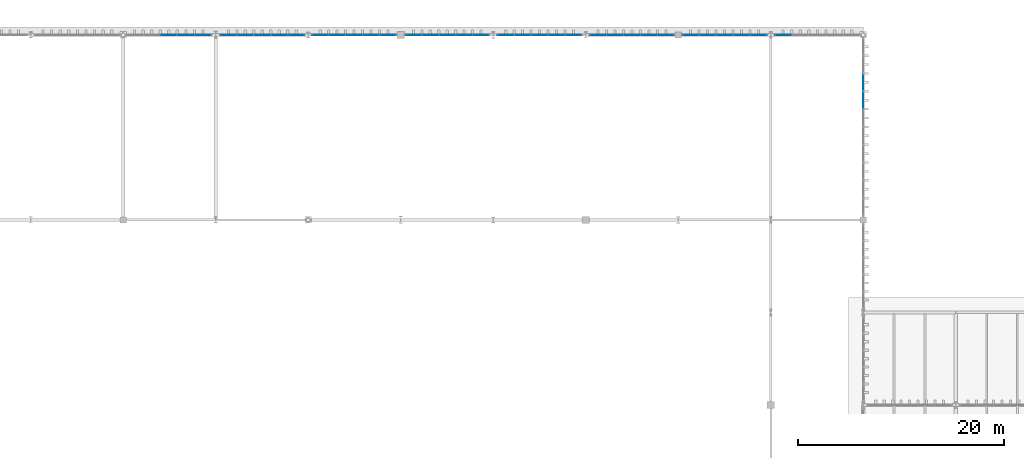
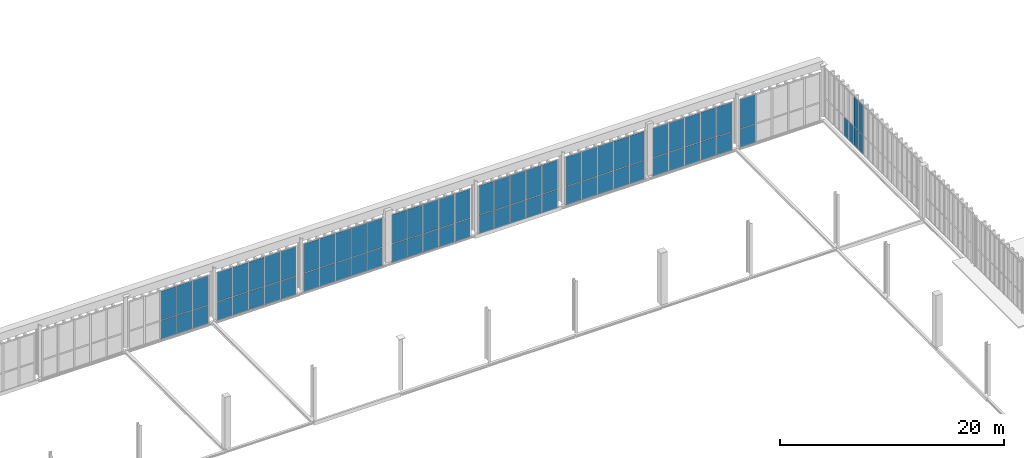
# One storey, part 197 of 237: 71 plates, 9 elements without a shape of their own.
"""IFC4 building model written with IfcOpenShell, lengths in metres."""

from ifc_helpers import new_model, si_unit, direction, frame, origin, origin_2d, place, context, subcontext, project, spatial, rectangle, extrude, material, layer, layer_set, type_object, element, aggregate, save


model = new_model("IFC4")

# Units and contexts
model_context = context("Model", 3, precision=1e-05, world=origin(), true_north=direction((0.0, 1.0)))
body_context = subcontext(model_context, "Body", "Model", "MODEL_VIEW")
ifc_project = project(units=[si_unit("LENGTHUNIT", "METRE"), si_unit("AREAUNIT", "SQUARE_METRE"), si_unit("VOLUMEUNIT", "CUBIC_METRE"), si_unit("PLANEANGLEUNIT", "RADIAN"), si_unit("MASSUNIT", "GRAM", prefix="KILO")], contexts=[model_context])

# Site, building, storey
site_placement = place(None, origin())
site = spatial("IfcSite", under=ifc_project, at=site_placement, CompositionType="ELEMENT")
building_placement = place(site_placement, origin())
building = spatial("IfcBuilding", under=site, at=building_placement, Name="Barlavento Convention Centre", CompositionType="ELEMENT")
storey_placement = place(building_placement, frame((0.0, 0.0, 12.0)))
storey = spatial("IfcBuildingStorey", under=building, at=storey_placement, Name="L02", CompositionType="ELEMENT", Elevation=12.0)

# Curtain wall, plates
ifc_material_1 = material(Name="Powder-coated aluminium and Low-E glass", Category="aluminium")
ifc_layer_1 = layer(ifc_material_1, 0.18505859375)
ifc_layer_set_1 = layer_set([ifc_layer_1], Name="ARC-CW-EXH-L02")
curtain_wall_type = type_object("IfcCurtainWallType", Name="ARC-CW-EXH-L02", PredefinedType="NOTDEFINED", material=ifc_layer_set_1)
curtain_wall_1_placement = place(storey_placement, origin())
curtain_wall_1 = element("IfcCurtainWall", 1, at=curtain_wall_1_placement, inside=storey, type_object=curtain_wall_type, Name="L02 unitised curtain wall CW05", PredefinedType="NOTDEFINED")
ifc_material_2 = material(Name="Double-silver Low-E insulated glass", Category="glass")
ifc_layer_2 = layer(ifc_material_2, 0.028076171875)
ifc_layer_set_2 = layer_set([ifc_layer_2], Name="ARC-CWP-GLZ28")
plate_type_1 = type_object("IfcPlateType", Name="ARC-CWP-GLZ28", PredefinedType="CURTAIN_PANEL", material=ifc_layer_set_2)
plate_1_placement = place(storey_placement, frame((126.0, 128.64892578125, 0.16015625), z_axis=(0.0, 0.0, 1.0), x_axis=(0.0, 1.0, 0.0)))
plate_1 = element("IfcPlate", 2, at=plate_1_placement, type_object=plate_type_1, Name="CW05 panel 7.1", PredefinedType="CURTAIN_PANEL", context=body_context, shape_type="SweptSolid", body=[
    extrude(rectangle(XDim=1.668701171875, YDim=0.028076171875, at=origin_2d()), origin(), (0.0, 0.0, 1.0), 2.010009765625),
])
plate_2_placement = place(storey_placement, frame((126.0, 128.64892578125, 2.22998046875), z_axis=(0.0, 0.0, 1.0), x_axis=(0.0, 1.0, 0.0)))
plate_2 = element("IfcPlate", 3, at=plate_2_placement, type_object=plate_type_1, Name="CW05 panel 7.2", PredefinedType="CURTAIN_PANEL", context=body_context, shape_type="SweptSolid", body=[
    extrude(rectangle(XDim=1.668701171875, YDim=0.028076171875, at=origin_2d()), origin(), (0.0, 0.0, 1.0), 3.2099609375),
])
plate_3_placement = place(storey_placement, frame((126.0, 130.382568359375, 0.16015625), z_axis=(0.0, 0.0, 1.0), x_axis=(0.0, 1.0, 0.0)))
plate_3 = element("IfcPlate", 4, at=plate_3_placement, type_object=plate_type_1, Name="CW05 panel 8.1", PredefinedType="CURTAIN_PANEL", context=body_context, shape_type="SweptSolid", body=[
    extrude(rectangle(XDim=1.668701171875, YDim=0.028076171875, at=origin_2d()), origin(), (0.0, 0.0, 1.0), 2.010009765625),
])
aggregate(curtain_wall_1, [plate_1, plate_2, plate_3])

curtain_wall_2_placement = place(storey_placement, origin())
curtain_wall_2 = element("IfcCurtainWall", 5, at=curtain_wall_2_placement, inside=storey, type_object=curtain_wall_type, Name="L02 unitised curtain wall CW05", PredefinedType="NOTDEFINED")
ifc_material_3 = material(Name="Glazed terracotta spandrel panel", Category="masonry")
ifc_layer_3 = layer(ifc_material_3, 0.044921875)
ifc_layer_set_3 = layer_set([ifc_layer_3], Name="ARC-CWP-TER45")
plate_type_2 = type_object("IfcPlateType", Name="ARC-CWP-TER45", PredefinedType="CURTAIN_PANEL", material=ifc_layer_set_3)
plate_4_placement = place(storey_placement, frame((58.4345703125, 135.0, -0.43994140625), z_axis=(0.0, 0.0, 1.0), x_axis=(1.0, 0.0, 0.0)))
plate_4 = element("IfcPlate", 6, at=plate_4_placement, type_object=plate_type_2, Name="CW05 panel 3.1", PredefinedType="CURTAIN_PANEL", context=body_context, shape_type="SweptSolid", body=[
    extrude(rectangle(XDim=1.6044921875, YDim=0.044921875, at=origin_2d()), origin(), (0.0, 0.0, 1.0), 2.010009765625),
])
plate_5_placement = place(storey_placement, frame((58.4345703125, 135.0, 1.6298828125), z_axis=(0.0, 0.0, 1.0), x_axis=(1.0, 0.0, 0.0)))
plate_5 = element("IfcPlate", 7, at=plate_5_placement, type_object=plate_type_2, Name="CW05 panel 3.2", PredefinedType="CURTAIN_PANEL", context=body_context, shape_type="SweptSolid", body=[
    extrude(rectangle(XDim=1.6044921875, YDim=0.044921875, at=origin_2d()), origin(), (0.0, 0.0, 1.0), 3.159912109375),
])
plate_6_placement = place(storey_placement, frame((60.09912109375, 135.0, -0.43994140625), z_axis=(0.0, 0.0, 1.0), x_axis=(1.0, 0.0, 0.0)))
plate_6 = element("IfcPlate", 8, at=plate_6_placement, type_object=plate_type_2, Name="CW05 panel 4.1", PredefinedType="CURTAIN_PANEL", context=body_context, shape_type="SweptSolid", body=[
    extrude(rectangle(XDim=1.6044921875, YDim=0.044921875, at=origin_2d()), origin(), (0.0, 0.0, 1.0), 2.010009765625),
])
plate_7_placement = place(storey_placement, frame((60.09912109375, 135.0, 1.6298828125), z_axis=(0.0, 0.0, 1.0), x_axis=(1.0, 0.0, 0.0)))
plate_7 = element("IfcPlate", 9, at=plate_7_placement, type_object=plate_type_2, Name="CW05 panel 4.2", PredefinedType="CURTAIN_PANEL", context=body_context, shape_type="SweptSolid", body=[
    extrude(rectangle(XDim=1.6044921875, YDim=0.044921875, at=origin_2d()), origin(), (0.0, 0.0, 1.0), 3.159912109375),
])
plate_8_placement = place(storey_placement, frame((61.748779296875, 135.0, -0.43994140625), z_axis=(0.0, 0.0, 1.0), x_axis=(1.0, 0.0, 0.0)))
plate_8 = element("IfcPlate", 10, at=plate_8_placement, type_object=plate_type_2, Name="CW05 panel 5.1", PredefinedType="CURTAIN_PANEL", context=body_context, shape_type="SweptSolid", body=[
    extrude(rectangle(XDim=1.574462890625, YDim=0.044921875, at=origin_2d()), origin(), (0.0, 0.0, 1.0), 2.010009765625),
])
plate_9_placement = place(storey_placement, frame((61.748779296875, 135.0, 1.6298828125), z_axis=(0.0, 0.0, 1.0), x_axis=(1.0, 0.0, 0.0)))
plate_9 = element("IfcPlate", 11, at=plate_9_placement, type_object=plate_type_2, Name="CW05 panel 5.2", PredefinedType="CURTAIN_PANEL", context=body_context, shape_type="SweptSolid", body=[
    extrude(rectangle(XDim=1.574462890625, YDim=0.044921875, at=origin_2d()), origin(), (0.0, 0.0, 1.0), 3.159912109375),
])
aggregate(curtain_wall_2, [plate_4, plate_5, plate_6, plate_7, plate_8, plate_9])

curtain_wall_3_placement = place(storey_placement, origin())
curtain_wall_3 = element("IfcCurtainWall", 12, at=curtain_wall_3_placement, inside=storey, type_object=curtain_wall_type, Name="L02 unitised curtain wall CW05", PredefinedType="NOTDEFINED")
plate_10_placement = place(storey_placement, frame((64.245361328125, 135.0, -0.43994140625), z_axis=(0.0, 0.0, 1.0), x_axis=(1.0, 0.0, 0.0)))
plate_10 = element("IfcPlate", 13, at=plate_10_placement, type_object=plate_type_2, Name="CW05 panel 1.1", PredefinedType="CURTAIN_PANEL", context=body_context, shape_type="SweptSolid", body=[
    extrude(rectangle(XDim=1.562744140625, YDim=0.044921875, at=origin_2d()), origin(), (0.0, 0.0, 1.0), 2.010009765625),
])
plate_11_placement = place(storey_placement, frame((64.245361328125, 135.0, 1.6298828125), z_axis=(0.0, 0.0, 1.0), x_axis=(1.0, 0.0, 0.0)))
plate_11 = element("IfcPlate", 14, at=plate_11_placement, type_object=plate_type_2, Name="CW05 panel 1.2", PredefinedType="CURTAIN_PANEL", context=body_context, shape_type="SweptSolid", body=[
    extrude(rectangle(XDim=1.562744140625, YDim=0.044921875, at=origin_2d()), origin(), (0.0, 0.0, 1.0), 3.159912109375),
])
plate_12_placement = place(storey_placement, frame((65.88330078125, 135.0, -0.43994140625), z_axis=(0.0, 0.0, 1.0), x_axis=(1.0, 0.0, 0.0)))
plate_12 = element("IfcPlate", 15, at=plate_12_placement, type_object=plate_type_2, Name="CW05 panel 2.1", PredefinedType="CURTAIN_PANEL", context=body_context, shape_type="SweptSolid", body=[
    extrude(rectangle(XDim=1.5927734375, YDim=0.044921875, at=origin_2d()), origin(), (0.0, 0.0, 1.0), 2.010009765625),
])
plate_13_placement = place(storey_placement, frame((65.88330078125, 135.0, 1.6298828125), z_axis=(0.0, 0.0, 1.0), x_axis=(1.0, 0.0, 0.0)))
plate_13 = element("IfcPlate", 16, at=plate_13_placement, type_object=plate_type_2, Name="CW05 panel 2.2", PredefinedType="CURTAIN_PANEL", context=body_context, shape_type="SweptSolid", body=[
    extrude(rectangle(XDim=1.5927734375, YDim=0.044921875, at=origin_2d()), origin(), (0.0, 0.0, 1.0), 3.159912109375),
])
plate_14_placement = place(storey_placement, frame((67.535888671875, 135.0, -0.43994140625), z_axis=(0.0, 0.0, 1.0), x_axis=(1.0, 0.0, 0.0)))
plate_14 = element("IfcPlate", 17, at=plate_14_placement, type_object=plate_type_2, Name="CW05 panel 3.1", PredefinedType="CURTAIN_PANEL", context=body_context, shape_type="SweptSolid", body=[
    extrude(rectangle(XDim=1.5927734375, YDim=0.044921875, at=origin_2d()), origin(), (0.0, 0.0, 1.0), 2.010009765625),
])
plate_15_placement = place(storey_placement, frame((67.535888671875, 135.0, 1.6298828125), z_axis=(0.0, 0.0, 1.0), x_axis=(1.0, 0.0, 0.0)))
plate_15 = element("IfcPlate", 18, at=plate_15_placement, type_object=plate_type_2, Name="CW05 panel 3.2", PredefinedType="CURTAIN_PANEL", context=body_context, shape_type="SweptSolid", body=[
    extrude(rectangle(XDim=1.5927734375, YDim=0.044921875, at=origin_2d()), origin(), (0.0, 0.0, 1.0), 3.159912109375),
])
plate_16_placement = place(storey_placement, frame((69.188720703125, 135.0, -0.43994140625), z_axis=(0.0, 0.0, 1.0), x_axis=(1.0, 0.0, 0.0)))
plate_16 = element("IfcPlate", 19, at=plate_16_placement, type_object=plate_type_2, Name="CW05 panel 4.1", PredefinedType="CURTAIN_PANEL", context=body_context, shape_type="SweptSolid", body=[
    extrude(rectangle(XDim=1.5927734375, YDim=0.044921875, at=origin_2d()), origin(), (0.0, 0.0, 1.0), 2.010009765625),
])
plate_17_placement = place(storey_placement, frame((69.188720703125, 135.0, 1.6298828125), z_axis=(0.0, 0.0, 1.0), x_axis=(1.0, 0.0, 0.0)))
plate_17 = element("IfcPlate", 20, at=plate_17_placement, type_object=plate_type_2, Name="CW05 panel 4.2", PredefinedType="CURTAIN_PANEL", context=body_context, shape_type="SweptSolid", body=[
    extrude(rectangle(XDim=1.5927734375, YDim=0.044921875, at=origin_2d()), origin(), (0.0, 0.0, 1.0), 3.159912109375),
])
plate_18_placement = place(storey_placement, frame((70.82666015625, 135.0, -0.43994140625), z_axis=(0.0, 0.0, 1.0), x_axis=(1.0, 0.0, 0.0)))
plate_18 = element("IfcPlate", 21, at=plate_18_placement, type_object=plate_type_2, Name="CW05 panel 5.1", PredefinedType="CURTAIN_PANEL", context=body_context, shape_type="SweptSolid", body=[
    extrude(rectangle(XDim=1.562744140625, YDim=0.044921875, at=origin_2d()), origin(), (0.0, 0.0, 1.0), 2.010009765625),
])
plate_19_placement = place(storey_placement, frame((70.82666015625, 135.0, 1.6298828125), z_axis=(0.0, 0.0, 1.0), x_axis=(1.0, 0.0, 0.0)))
plate_19 = element("IfcPlate", 22, at=plate_19_placement, type_object=plate_type_2, Name="CW05 panel 5.2", PredefinedType="CURTAIN_PANEL", context=body_context, shape_type="SweptSolid", body=[
    extrude(rectangle(XDim=1.562744140625, YDim=0.044921875, at=origin_2d()), origin(), (0.0, 0.0, 1.0), 3.159912109375),
])
aggregate(curtain_wall_3, [plate_10, plate_11, plate_12, plate_13, plate_14, plate_15, plate_16, plate_17, plate_18, plate_19])

curtain_wall_4_placement = place(storey_placement, origin())
curtain_wall_4 = element("IfcCurtainWall", 23, at=curtain_wall_4_placement, inside=storey, type_object=curtain_wall_type, Name="L02 unitised curtain wall CW05", PredefinedType="NOTDEFINED")
plate_20_placement = place(storey_placement, frame((73.171875, 135.0, -0.43994140625), z_axis=(0.0, 0.0, 1.0), x_axis=(1.0, 0.0, 0.0)))
plate_20 = element("IfcPlate", 24, at=plate_20_placement, type_object=plate_type_2, Name="CW05 panel 1.1", PredefinedType="CURTAIN_PANEL", context=body_context, shape_type="SweptSolid", body=[
    extrude(rectangle(XDim=1.5595703125, YDim=0.044921875, at=origin_2d()), origin(), (0.0, 0.0, 1.0), 2.010009765625),
])
plate_21_placement = place(storey_placement, frame((73.171875, 135.0, 1.6298828125), z_axis=(0.0, 0.0, 1.0), x_axis=(1.0, 0.0, 0.0)))
plate_21 = element("IfcPlate", 25, at=plate_21_placement, type_object=plate_type_2, Name="CW05 panel 1.2", PredefinedType="CURTAIN_PANEL", context=body_context, shape_type="SweptSolid", body=[
    extrude(rectangle(XDim=1.5595703125, YDim=0.044921875, at=origin_2d()), origin(), (0.0, 0.0, 1.0), 3.159912109375),
])
plate_22_placement = place(storey_placement, frame((74.806396484375, 135.0, -0.43994140625), z_axis=(0.0, 0.0, 1.0), x_axis=(1.0, 0.0, 0.0)))
plate_22 = element("IfcPlate", 26, at=plate_22_placement, type_object=plate_type_2, Name="CW05 panel 2.1", PredefinedType="CURTAIN_PANEL", context=body_context, shape_type="SweptSolid", body=[
    extrude(rectangle(XDim=1.589599609375, YDim=0.044921875, at=origin_2d()), origin(), (0.0, 0.0, 1.0), 2.010009765625),
])
plate_23_placement = place(storey_placement, frame((74.806396484375, 135.0, 1.6298828125), z_axis=(0.0, 0.0, 1.0), x_axis=(1.0, 0.0, 0.0)))
plate_23 = element("IfcPlate", 27, at=plate_23_placement, type_object=plate_type_2, Name="CW05 panel 2.2", PredefinedType="CURTAIN_PANEL", context=body_context, shape_type="SweptSolid", body=[
    extrude(rectangle(XDim=1.589599609375, YDim=0.044921875, at=origin_2d()), origin(), (0.0, 0.0, 1.0), 3.159912109375),
])
plate_24_placement = place(storey_placement, frame((76.4560546875, 135.0, -0.43994140625), z_axis=(0.0, 0.0, 1.0), x_axis=(1.0, 0.0, 0.0)))
plate_24 = element("IfcPlate", 28, at=plate_24_placement, type_object=plate_type_2, Name="CW05 panel 3.1", PredefinedType="CURTAIN_PANEL", context=body_context, shape_type="SweptSolid", body=[
    extrude(rectangle(XDim=1.589599609375, YDim=0.044921875, at=origin_2d()), origin(), (0.0, 0.0, 1.0), 2.010009765625),
])
plate_25_placement = place(storey_placement, frame((76.4560546875, 135.0, 1.6298828125), z_axis=(0.0, 0.0, 1.0), x_axis=(1.0, 0.0, 0.0)))
plate_25 = element("IfcPlate", 29, at=plate_25_placement, type_object=plate_type_2, Name="CW05 panel 3.2", PredefinedType="CURTAIN_PANEL", context=body_context, shape_type="SweptSolid", body=[
    extrude(rectangle(XDim=1.589599609375, YDim=0.044921875, at=origin_2d()), origin(), (0.0, 0.0, 1.0), 3.159912109375),
])
plate_26_placement = place(storey_placement, frame((78.105712890625, 135.0, -0.43994140625), z_axis=(0.0, 0.0, 1.0), x_axis=(1.0, 0.0, 0.0)))
plate_26 = element("IfcPlate", 30, at=plate_26_placement, type_object=plate_type_2, Name="CW05 panel 4.1", PredefinedType="CURTAIN_PANEL", context=body_context, shape_type="SweptSolid", body=[
    extrude(rectangle(XDim=1.589599609375, YDim=0.044921875, at=origin_2d()), origin(), (0.0, 0.0, 1.0), 2.010009765625),
])
plate_27_placement = place(storey_placement, frame((78.105712890625, 135.0, 1.6298828125), z_axis=(0.0, 0.0, 1.0), x_axis=(1.0, 0.0, 0.0)))
plate_27 = element("IfcPlate", 31, at=plate_27_placement, type_object=plate_type_2, Name="CW05 panel 4.2", PredefinedType="CURTAIN_PANEL", context=body_context, shape_type="SweptSolid", body=[
    extrude(rectangle(XDim=1.589599609375, YDim=0.044921875, at=origin_2d()), origin(), (0.0, 0.0, 1.0), 3.159912109375),
])
plate_28_placement = place(storey_placement, frame((79.740234375, 135.0, -0.43994140625), z_axis=(0.0, 0.0, 1.0), x_axis=(1.0, 0.0, 0.0)))
plate_28 = element("IfcPlate", 32, at=plate_28_placement, type_object=plate_type_2, Name="CW05 panel 5.1", PredefinedType="CURTAIN_PANEL", context=body_context, shape_type="SweptSolid", body=[
    extrude(rectangle(XDim=1.5595703125, YDim=0.044921875, at=origin_2d()), origin(), (0.0, 0.0, 1.0), 2.010009765625),
])
plate_29_placement = place(storey_placement, frame((79.740234375, 135.0, 1.6298828125), z_axis=(0.0, 0.0, 1.0), x_axis=(1.0, 0.0, 0.0)))
plate_29 = element("IfcPlate", 33, at=plate_29_placement, type_object=plate_type_2, Name="CW05 panel 5.2", PredefinedType="CURTAIN_PANEL", context=body_context, shape_type="SweptSolid", body=[
    extrude(rectangle(XDim=1.5595703125, YDim=0.044921875, at=origin_2d()), origin(), (0.0, 0.0, 1.0), 3.159912109375),
])
aggregate(curtain_wall_4, [plate_20, plate_21, plate_22, plate_23, plate_24, plate_25, plate_26, plate_27, plate_28, plate_29])

curtain_wall_5_placement = place(storey_placement, origin())
curtain_wall_5 = element("IfcCurtainWall", 34, at=curtain_wall_5_placement, inside=storey, type_object=curtain_wall_type, Name="L02 unitised curtain wall CW05", PredefinedType="NOTDEFINED")
plate_30_placement = place(storey_placement, frame((82.2548828125, 135.0, -0.43994140625), z_axis=(0.0, 0.0, 1.0), x_axis=(1.0, 0.0, 0.0)))
plate_30 = element("IfcPlate", 35, at=plate_30_placement, type_object=plate_type_2, Name="CW05 panel 1.1", PredefinedType="CURTAIN_PANEL", context=body_context, shape_type="SweptSolid", body=[
    extrude(rectangle(XDim=1.550048828125, YDim=0.044921875, at=origin_2d()), origin(), (0.0, 0.0, 1.0), 2.010009765625),
])
plate_31_placement = place(storey_placement, frame((82.2548828125, 135.0, 1.6298828125), z_axis=(0.0, 0.0, 1.0), x_axis=(1.0, 0.0, 0.0)))
plate_31 = element("IfcPlate", 36, at=plate_31_placement, type_object=plate_type_2, Name="CW05 panel 1.2", PredefinedType="CURTAIN_PANEL", context=body_context, shape_type="SweptSolid", body=[
    extrude(rectangle(XDim=1.550048828125, YDim=0.044921875, at=origin_2d()), origin(), (0.0, 0.0, 1.0), 3.159912109375),
])
plate_32_placement = place(storey_placement, frame((83.8798828125, 135.0, -0.43994140625), z_axis=(0.0, 0.0, 1.0), x_axis=(1.0, 0.0, 0.0)))
plate_32 = element("IfcPlate", 37, at=plate_32_placement, type_object=plate_type_2, Name="CW05 panel 2.1", PredefinedType="CURTAIN_PANEL", context=body_context, shape_type="SweptSolid", body=[
    extrude(rectangle(XDim=1.580078125, YDim=0.044921875, at=origin_2d()), origin(), (0.0, 0.0, 1.0), 2.010009765625),
])
plate_33_placement = place(storey_placement, frame((83.8798828125, 135.0, 1.6298828125), z_axis=(0.0, 0.0, 1.0), x_axis=(1.0, 0.0, 0.0)))
plate_33 = element("IfcPlate", 38, at=plate_33_placement, type_object=plate_type_2, Name="CW05 panel 2.2", PredefinedType="CURTAIN_PANEL", context=body_context, shape_type="SweptSolid", body=[
    extrude(rectangle(XDim=1.580078125, YDim=0.044921875, at=origin_2d()), origin(), (0.0, 0.0, 1.0), 3.159912109375),
])
plate_34_placement = place(storey_placement, frame((85.52001953125, 135.0, -0.43994140625), z_axis=(0.0, 0.0, 1.0), x_axis=(1.0, 0.0, 0.0)))
plate_34 = element("IfcPlate", 39, at=plate_34_placement, type_object=plate_type_2, Name="CW05 panel 3.1", PredefinedType="CURTAIN_PANEL", context=body_context, shape_type="SweptSolid", body=[
    extrude(rectangle(XDim=1.580078125, YDim=0.044921875, at=origin_2d()), origin(), (0.0, 0.0, 1.0), 2.010009765625),
])
plate_35_placement = place(storey_placement, frame((85.52001953125, 135.0, 1.6298828125), z_axis=(0.0, 0.0, 1.0), x_axis=(1.0, 0.0, 0.0)))
plate_35 = element("IfcPlate", 40, at=plate_35_placement, type_object=plate_type_2, Name="CW05 panel 3.2", PredefinedType="CURTAIN_PANEL", context=body_context, shape_type="SweptSolid", body=[
    extrude(rectangle(XDim=1.580078125, YDim=0.044921875, at=origin_2d()), origin(), (0.0, 0.0, 1.0), 3.159912109375),
])
plate_36_placement = place(storey_placement, frame((87.159912109375, 135.0, -0.43994140625), z_axis=(0.0, 0.0, 1.0), x_axis=(1.0, 0.0, 0.0)))
plate_36 = element("IfcPlate", 41, at=plate_36_placement, type_object=plate_type_2, Name="CW05 panel 4.1", PredefinedType="CURTAIN_PANEL", context=body_context, shape_type="SweptSolid", body=[
    extrude(rectangle(XDim=1.580078125, YDim=0.044921875, at=origin_2d()), origin(), (0.0, 0.0, 1.0), 2.010009765625),
])
plate_37_placement = place(storey_placement, frame((87.159912109375, 135.0, 1.6298828125), z_axis=(0.0, 0.0, 1.0), x_axis=(1.0, 0.0, 0.0)))
plate_37 = element("IfcPlate", 42, at=plate_37_placement, type_object=plate_type_2, Name="CW05 panel 4.2", PredefinedType="CURTAIN_PANEL", context=body_context, shape_type="SweptSolid", body=[
    extrude(rectangle(XDim=1.580078125, YDim=0.044921875, at=origin_2d()), origin(), (0.0, 0.0, 1.0), 3.159912109375),
])
plate_38_placement = place(storey_placement, frame((88.784912109375, 135.0, -0.43994140625), z_axis=(0.0, 0.0, 1.0), x_axis=(1.0, 0.0, 0.0)))
plate_38 = element("IfcPlate", 43, at=plate_38_placement, type_object=plate_type_2, Name="CW05 panel 5.1", PredefinedType="CURTAIN_PANEL", context=body_context, shape_type="SweptSolid", body=[
    extrude(rectangle(XDim=1.550048828125, YDim=0.044921875, at=origin_2d()), origin(), (0.0, 0.0, 1.0), 2.010009765625),
])
plate_39_placement = place(storey_placement, frame((88.784912109375, 135.0, 1.6298828125), z_axis=(0.0, 0.0, 1.0), x_axis=(1.0, 0.0, 0.0)))
plate_39 = element("IfcPlate", 44, at=plate_39_placement, type_object=plate_type_2, Name="CW05 panel 5.2", PredefinedType="CURTAIN_PANEL", context=body_context, shape_type="SweptSolid", body=[
    extrude(rectangle(XDim=1.550048828125, YDim=0.044921875, at=origin_2d()), origin(), (0.0, 0.0, 1.0), 3.159912109375),
])
aggregate(curtain_wall_5, [plate_30, plate_31, plate_32, plate_33, plate_34, plate_35, plate_36, plate_37, plate_38, plate_39])

curtain_wall_6_placement = place(storey_placement, origin())
curtain_wall_6 = element("IfcCurtainWall", 45, at=curtain_wall_6_placement, inside=storey, type_object=curtain_wall_type, Name="L02 unitised curtain wall CW05", PredefinedType="NOTDEFINED")
plate_40_placement = place(storey_placement, frame((91.219970703125, 135.0, -0.43994140625), z_axis=(0.0, 0.0, 1.0), x_axis=(1.0, 0.0, 0.0)))
plate_40 = element("IfcPlate", 46, at=plate_40_placement, type_object=plate_type_2, Name="CW05 panel 1.1", PredefinedType="CURTAIN_PANEL", context=body_context, shape_type="SweptSolid", body=[
    extrude(rectangle(XDim=1.56005859375, YDim=0.044921875, at=origin_2d()), origin(), (0.0, 0.0, 1.0), 2.010009765625),
])
plate_41_placement = place(storey_placement, frame((91.219970703125, 135.0, 1.6298828125), z_axis=(0.0, 0.0, 1.0), x_axis=(1.0, 0.0, 0.0)))
plate_41 = element("IfcPlate", 47, at=plate_41_placement, type_object=plate_type_2, Name="CW05 panel 1.2", PredefinedType="CURTAIN_PANEL", context=body_context, shape_type="SweptSolid", body=[
    extrude(rectangle(XDim=1.56005859375, YDim=0.044921875, at=origin_2d()), origin(), (0.0, 0.0, 1.0), 3.159912109375),
])
plate_42_placement = place(storey_placement, frame((92.85498046875, 135.0, -0.43994140625), z_axis=(0.0, 0.0, 1.0), x_axis=(1.0, 0.0, 0.0)))
plate_42 = element("IfcPlate", 48, at=plate_42_placement, type_object=plate_type_2, Name="CW05 panel 2.1", PredefinedType="CURTAIN_PANEL", context=body_context, shape_type="SweptSolid", body=[
    extrude(rectangle(XDim=1.590087890625, YDim=0.044921875, at=origin_2d()), origin(), (0.0, 0.0, 1.0), 2.010009765625),
])
plate_43_placement = place(storey_placement, frame((92.85498046875, 135.0, 1.6298828125), z_axis=(0.0, 0.0, 1.0), x_axis=(1.0, 0.0, 0.0)))
plate_43 = element("IfcPlate", 49, at=plate_43_placement, type_object=plate_type_2, Name="CW05 panel 2.2", PredefinedType="CURTAIN_PANEL", context=body_context, shape_type="SweptSolid", body=[
    extrude(rectangle(XDim=1.590087890625, YDim=0.044921875, at=origin_2d()), origin(), (0.0, 0.0, 1.0), 3.159912109375),
])
plate_44_placement = place(storey_placement, frame((94.5048828125, 135.0, -0.43994140625), z_axis=(0.0, 0.0, 1.0), x_axis=(1.0, 0.0, 0.0)))
plate_44 = element("IfcPlate", 50, at=plate_44_placement, type_object=plate_type_2, Name="CW05 panel 3.1", PredefinedType="CURTAIN_PANEL", context=body_context, shape_type="SweptSolid", body=[
    extrude(rectangle(XDim=1.590087890625, YDim=0.044921875, at=origin_2d()), origin(), (0.0, 0.0, 1.0), 2.010009765625),
])
plate_45_placement = place(storey_placement, frame((94.5048828125, 135.0, 1.6298828125), z_axis=(0.0, 0.0, 1.0), x_axis=(1.0, 0.0, 0.0)))
plate_45 = element("IfcPlate", 51, at=plate_45_placement, type_object=plate_type_2, Name="CW05 panel 3.2", PredefinedType="CURTAIN_PANEL", context=body_context, shape_type="SweptSolid", body=[
    extrude(rectangle(XDim=1.590087890625, YDim=0.044921875, at=origin_2d()), origin(), (0.0, 0.0, 1.0), 3.159912109375),
])
plate_46_placement = place(storey_placement, frame((96.155029296875, 135.0, -0.43994140625), z_axis=(0.0, 0.0, 1.0), x_axis=(1.0, 0.0, 0.0)))
plate_46 = element("IfcPlate", 52, at=plate_46_placement, type_object=plate_type_2, Name="CW05 panel 4.1", PredefinedType="CURTAIN_PANEL", context=body_context, shape_type="SweptSolid", body=[
    extrude(rectangle(XDim=1.590087890625, YDim=0.044921875, at=origin_2d()), origin(), (0.0, 0.0, 1.0), 2.010009765625),
])
plate_47_placement = place(storey_placement, frame((96.155029296875, 135.0, 1.6298828125), z_axis=(0.0, 0.0, 1.0), x_axis=(1.0, 0.0, 0.0)))
plate_47 = element("IfcPlate", 53, at=plate_47_placement, type_object=plate_type_2, Name="CW05 panel 4.2", PredefinedType="CURTAIN_PANEL", context=body_context, shape_type="SweptSolid", body=[
    extrude(rectangle(XDim=1.590087890625, YDim=0.044921875, at=origin_2d()), origin(), (0.0, 0.0, 1.0), 3.159912109375),
])
plate_48_placement = place(storey_placement, frame((97.7900390625, 135.0, -0.43994140625), z_axis=(0.0, 0.0, 1.0), x_axis=(1.0, 0.0, 0.0)))
plate_48 = element("IfcPlate", 54, at=plate_48_placement, type_object=plate_type_2, Name="CW05 panel 5.1", PredefinedType="CURTAIN_PANEL", context=body_context, shape_type="SweptSolid", body=[
    extrude(rectangle(XDim=1.56005859375, YDim=0.044921875, at=origin_2d()), origin(), (0.0, 0.0, 1.0), 2.010009765625),
])
plate_49_placement = place(storey_placement, frame((97.7900390625, 135.0, 1.6298828125), z_axis=(0.0, 0.0, 1.0), x_axis=(1.0, 0.0, 0.0)))
plate_49 = element("IfcPlate", 55, at=plate_49_placement, type_object=plate_type_2, Name="CW05 panel 5.2", PredefinedType="CURTAIN_PANEL", context=body_context, shape_type="SweptSolid", body=[
    extrude(rectangle(XDim=1.56005859375, YDim=0.044921875, at=origin_2d()), origin(), (0.0, 0.0, 1.0), 3.159912109375),
])
aggregate(curtain_wall_6, [plate_40, plate_41, plate_42, plate_43, plate_44, plate_45, plate_46, plate_47, plate_48, plate_49])

curtain_wall_7_placement = place(storey_placement, origin())
curtain_wall_7 = element("IfcCurtainWall", 56, at=curtain_wall_7_placement, inside=storey, type_object=curtain_wall_type, Name="L02 unitised curtain wall CW05", PredefinedType="NOTDEFINED")
plate_50_placement = place(storey_placement, frame((100.2109375, 135.0, -0.43994140625), z_axis=(0.0, 0.0, 1.0), x_axis=(1.0, 0.0, 0.0)))
plate_50 = element("IfcPlate", 57, at=plate_50_placement, type_object=plate_type_2, Name="CW05 panel 1.1", PredefinedType="CURTAIN_PANEL", context=body_context, shape_type="SweptSolid", body=[
    extrude(rectangle(XDim=1.56201171875, YDim=0.044921875, at=origin_2d()), origin(), (0.0, 0.0, 1.0), 2.010009765625),
])
plate_51_placement = place(storey_placement, frame((100.2109375, 135.0, 1.6298828125), z_axis=(0.0, 0.0, 1.0), x_axis=(1.0, 0.0, 0.0)))
plate_51 = element("IfcPlate", 58, at=plate_51_placement, type_object=plate_type_2, Name="CW05 panel 1.2", PredefinedType="CURTAIN_PANEL", context=body_context, shape_type="SweptSolid", body=[
    extrude(rectangle(XDim=1.56201171875, YDim=0.044921875, at=origin_2d()), origin(), (0.0, 0.0, 1.0), 3.159912109375),
])
plate_52_placement = place(storey_placement, frame((101.847900390625, 135.0, -0.43994140625), z_axis=(0.0, 0.0, 1.0), x_axis=(1.0, 0.0, 0.0)))
plate_52 = element("IfcPlate", 59, at=plate_52_placement, type_object=plate_type_2, Name="CW05 panel 2.1", PredefinedType="CURTAIN_PANEL", context=body_context, shape_type="SweptSolid", body=[
    extrude(rectangle(XDim=1.592041015625, YDim=0.044921875, at=origin_2d()), origin(), (0.0, 0.0, 1.0), 2.010009765625),
])
plate_53_placement = place(storey_placement, frame((101.847900390625, 135.0, 1.6298828125), z_axis=(0.0, 0.0, 1.0), x_axis=(1.0, 0.0, 0.0)))
plate_53 = element("IfcPlate", 60, at=plate_53_placement, type_object=plate_type_2, Name="CW05 panel 2.2", PredefinedType="CURTAIN_PANEL", context=body_context, shape_type="SweptSolid", body=[
    extrude(rectangle(XDim=1.592041015625, YDim=0.044921875, at=origin_2d()), origin(), (0.0, 0.0, 1.0), 3.159912109375),
])
plate_54_placement = place(storey_placement, frame((103.5, 135.0, -0.43994140625), z_axis=(0.0, 0.0, 1.0), x_axis=(1.0, 0.0, 0.0)))
plate_54 = element("IfcPlate", 61, at=plate_54_placement, type_object=plate_type_2, Name="CW05 panel 3.1", PredefinedType="CURTAIN_PANEL", context=body_context, shape_type="SweptSolid", body=[
    extrude(rectangle(XDim=1.592041015625, YDim=0.044921875, at=origin_2d()), origin(), (0.0, 0.0, 1.0), 2.010009765625),
])
plate_55_placement = place(storey_placement, frame((103.5, 135.0, 1.6298828125), z_axis=(0.0, 0.0, 1.0), x_axis=(1.0, 0.0, 0.0)))
plate_55 = element("IfcPlate", 62, at=plate_55_placement, type_object=plate_type_2, Name="CW05 panel 3.2", PredefinedType="CURTAIN_PANEL", context=body_context, shape_type="SweptSolid", body=[
    extrude(rectangle(XDim=1.592041015625, YDim=0.044921875, at=origin_2d()), origin(), (0.0, 0.0, 1.0), 3.159912109375),
])
plate_56_placement = place(storey_placement, frame((105.152099609375, 135.0, -0.43994140625), z_axis=(0.0, 0.0, 1.0), x_axis=(1.0, 0.0, 0.0)))
plate_56 = element("IfcPlate", 63, at=plate_56_placement, type_object=plate_type_2, Name="CW05 panel 4.1", PredefinedType="CURTAIN_PANEL", context=body_context, shape_type="SweptSolid", body=[
    extrude(rectangle(XDim=1.592041015625, YDim=0.044921875, at=origin_2d()), origin(), (0.0, 0.0, 1.0), 2.010009765625),
])
plate_57_placement = place(storey_placement, frame((105.152099609375, 135.0, 1.6298828125), z_axis=(0.0, 0.0, 1.0), x_axis=(1.0, 0.0, 0.0)))
plate_57 = element("IfcPlate", 64, at=plate_57_placement, type_object=plate_type_2, Name="CW05 panel 4.2", PredefinedType="CURTAIN_PANEL", context=body_context, shape_type="SweptSolid", body=[
    extrude(rectangle(XDim=1.592041015625, YDim=0.044921875, at=origin_2d()), origin(), (0.0, 0.0, 1.0), 3.159912109375),
])
plate_58_placement = place(storey_placement, frame((106.7890625, 135.0, -0.43994140625), z_axis=(0.0, 0.0, 1.0), x_axis=(1.0, 0.0, 0.0)))
plate_58 = element("IfcPlate", 65, at=plate_58_placement, type_object=plate_type_2, Name="CW05 panel 5.1", PredefinedType="CURTAIN_PANEL", context=body_context, shape_type="SweptSolid", body=[
    extrude(rectangle(XDim=1.56201171875, YDim=0.044921875, at=origin_2d()), origin(), (0.0, 0.0, 1.0), 2.010009765625),
])
plate_59_placement = place(storey_placement, frame((106.7890625, 135.0, 1.6298828125), z_axis=(0.0, 0.0, 1.0), x_axis=(1.0, 0.0, 0.0)))
plate_59 = element("IfcPlate", 66, at=plate_59_placement, type_object=plate_type_2, Name="CW05 panel 5.2", PredefinedType="CURTAIN_PANEL", context=body_context, shape_type="SweptSolid", body=[
    extrude(rectangle(XDim=1.56201171875, YDim=0.044921875, at=origin_2d()), origin(), (0.0, 0.0, 1.0), 3.159912109375),
])
aggregate(curtain_wall_7, [plate_50, plate_51, plate_52, plate_53, plate_54, plate_55, plate_56, plate_57, plate_58, plate_59])

curtain_wall_8_placement = place(storey_placement, origin())
curtain_wall_8 = element("IfcCurtainWall", 67, at=curtain_wall_8_placement, inside=storey, type_object=curtain_wall_type, Name="L02 unitised curtain wall CW05", PredefinedType="NOTDEFINED")
plate_60_placement = place(storey_placement, frame((109.21240234375, 135.0, -0.43994140625), z_axis=(0.0, 0.0, 1.0), x_axis=(1.0, 0.0, 0.0)))
plate_60 = element("IfcPlate", 68, at=plate_60_placement, type_object=plate_type_2, Name="CW05 panel 1.1", PredefinedType="CURTAIN_PANEL", context=body_context, shape_type="SweptSolid", body=[
    extrude(rectangle(XDim=1.564697265625, YDim=0.044921875, at=origin_2d()), origin(), (0.0, 0.0, 1.0), 2.010009765625),
])
plate_61_placement = place(storey_placement, frame((109.21240234375, 135.0, 1.6298828125), z_axis=(0.0, 0.0, 1.0), x_axis=(1.0, 0.0, 0.0)))
plate_61 = element("IfcPlate", 69, at=plate_61_placement, type_object=plate_type_2, Name="CW05 panel 1.2", PredefinedType="CURTAIN_PANEL", context=body_context, shape_type="SweptSolid", body=[
    extrude(rectangle(XDim=1.564697265625, YDim=0.044921875, at=origin_2d()), origin(), (0.0, 0.0, 1.0), 3.159912109375),
])
plate_62_placement = place(storey_placement, frame((110.852294921875, 135.0, -0.43994140625), z_axis=(0.0, 0.0, 1.0), x_axis=(1.0, 0.0, 0.0)))
plate_62 = element("IfcPlate", 70, at=plate_62_placement, type_object=plate_type_2, Name="CW05 panel 2.1", PredefinedType="CURTAIN_PANEL", context=body_context, shape_type="SweptSolid", body=[
    extrude(rectangle(XDim=1.5947265625, YDim=0.044921875, at=origin_2d()), origin(), (0.0, 0.0, 1.0), 2.010009765625),
])
plate_63_placement = place(storey_placement, frame((110.852294921875, 135.0, 1.6298828125), z_axis=(0.0, 0.0, 1.0), x_axis=(1.0, 0.0, 0.0)))
plate_63 = element("IfcPlate", 71, at=plate_63_placement, type_object=plate_type_2, Name="CW05 panel 2.2", PredefinedType="CURTAIN_PANEL", context=body_context, shape_type="SweptSolid", body=[
    extrude(rectangle(XDim=1.5947265625, YDim=0.044921875, at=origin_2d()), origin(), (0.0, 0.0, 1.0), 3.159912109375),
])
plate_64_placement = place(storey_placement, frame((112.507080078125, 135.0, -0.43994140625), z_axis=(0.0, 0.0, 1.0), x_axis=(1.0, 0.0, 0.0)))
plate_64 = element("IfcPlate", 72, at=plate_64_placement, type_object=plate_type_2, Name="CW05 panel 3.1", PredefinedType="CURTAIN_PANEL", context=body_context, shape_type="SweptSolid", body=[
    extrude(rectangle(XDim=1.5947265625, YDim=0.044921875, at=origin_2d()), origin(), (0.0, 0.0, 1.0), 2.010009765625),
])
plate_65_placement = place(storey_placement, frame((112.507080078125, 135.0, 1.6298828125), z_axis=(0.0, 0.0, 1.0), x_axis=(1.0, 0.0, 0.0)))
plate_65 = element("IfcPlate", 73, at=plate_65_placement, type_object=plate_type_2, Name="CW05 panel 3.2", PredefinedType="CURTAIN_PANEL", context=body_context, shape_type="SweptSolid", body=[
    extrude(rectangle(XDim=1.5947265625, YDim=0.044921875, at=origin_2d()), origin(), (0.0, 0.0, 1.0), 3.159912109375),
])
plate_66_placement = place(storey_placement, frame((114.161865234375, 135.0, -0.43994140625), z_axis=(0.0, 0.0, 1.0), x_axis=(1.0, 0.0, 0.0)))
plate_66 = element("IfcPlate", 74, at=plate_66_placement, type_object=plate_type_2, Name="CW05 panel 4.1", PredefinedType="CURTAIN_PANEL", context=body_context, shape_type="SweptSolid", body=[
    extrude(rectangle(XDim=1.5947265625, YDim=0.044921875, at=origin_2d()), origin(), (0.0, 0.0, 1.0), 2.010009765625),
])
plate_67_placement = place(storey_placement, frame((114.161865234375, 135.0, 1.6298828125), z_axis=(0.0, 0.0, 1.0), x_axis=(1.0, 0.0, 0.0)))
plate_67 = element("IfcPlate", 75, at=plate_67_placement, type_object=plate_type_2, Name="CW05 panel 4.2", PredefinedType="CURTAIN_PANEL", context=body_context, shape_type="SweptSolid", body=[
    extrude(rectangle(XDim=1.5947265625, YDim=0.044921875, at=origin_2d()), origin(), (0.0, 0.0, 1.0), 3.159912109375),
])
plate_68_placement = place(storey_placement, frame((115.801513671875, 135.0, -0.43994140625), z_axis=(0.0, 0.0, 1.0), x_axis=(1.0, 0.0, 0.0)))
plate_68 = element("IfcPlate", 76, at=plate_68_placement, type_object=plate_type_2, Name="CW05 panel 5.1", PredefinedType="CURTAIN_PANEL", context=body_context, shape_type="SweptSolid", body=[
    extrude(rectangle(XDim=1.564697265625, YDim=0.044921875, at=origin_2d()), origin(), (0.0, 0.0, 1.0), 2.010009765625),
])
plate_69_placement = place(storey_placement, frame((115.801513671875, 135.0, 1.6298828125), z_axis=(0.0, 0.0, 1.0), x_axis=(1.0, 0.0, 0.0)))
plate_69 = element("IfcPlate", 77, at=plate_69_placement, type_object=plate_type_2, Name="CW05 panel 5.2", PredefinedType="CURTAIN_PANEL", context=body_context, shape_type="SweptSolid", body=[
    extrude(rectangle(XDim=1.564697265625, YDim=0.044921875, at=origin_2d()), origin(), (0.0, 0.0, 1.0), 3.159912109375),
])
aggregate(curtain_wall_8, [plate_60, plate_61, plate_62, plate_63, plate_64, plate_65, plate_66, plate_67, plate_68, plate_69])

curtain_wall_9_placement = place(storey_placement, origin())
curtain_wall_9 = element("IfcCurtainWall", 78, at=curtain_wall_9_placement, inside=storey, type_object=curtain_wall_type, Name="L02 unitised curtain wall CW05", PredefinedType="NOTDEFINED")
plate_70_placement = place(storey_placement, frame((118.2080078125, 135.0, -0.43994140625), z_axis=(0.0, 0.0, 1.0), x_axis=(1.0, 0.0, 0.0)))
plate_70 = element("IfcPlate", 79, at=plate_70_placement, type_object=plate_type_2, Name="CW05 panel 1.1", PredefinedType="CURTAIN_PANEL", context=body_context, shape_type="SweptSolid", body=[
    extrude(rectangle(XDim=1.584228515625, YDim=0.044921875, at=origin_2d()), origin(), (0.0, 0.0, 1.0), 2.010009765625),
])
plate_71_placement = place(storey_placement, frame((118.2080078125, 135.0, 1.6298828125), z_axis=(0.0, 0.0, 1.0), x_axis=(1.0, 0.0, 0.0)))
plate_71 = element("IfcPlate", 80, at=plate_71_placement, type_object=plate_type_2, Name="CW05 panel 1.2", PredefinedType="CURTAIN_PANEL", context=body_context, shape_type="SweptSolid", body=[
    extrude(rectangle(XDim=1.584228515625, YDim=0.044921875, at=origin_2d()), origin(), (0.0, 0.0, 1.0), 3.159912109375),
])
aggregate(curtain_wall_9, [plate_70, plate_71])

save(model, "model.ifc")
